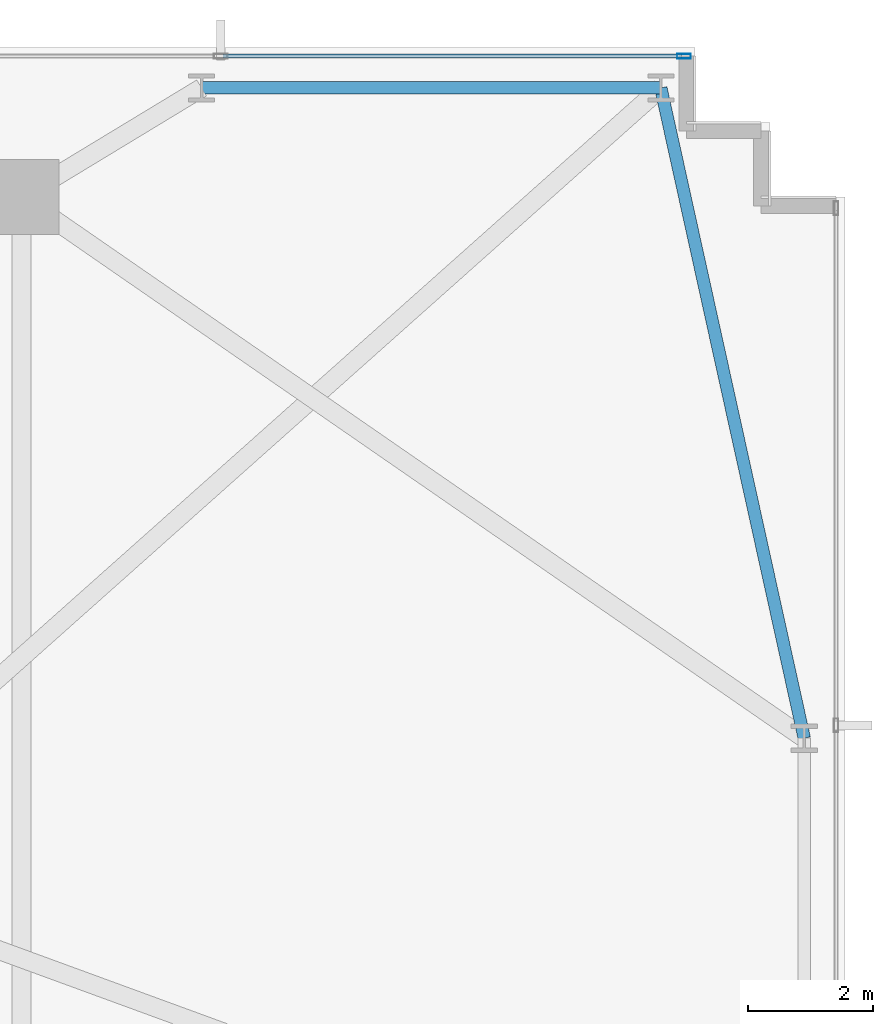
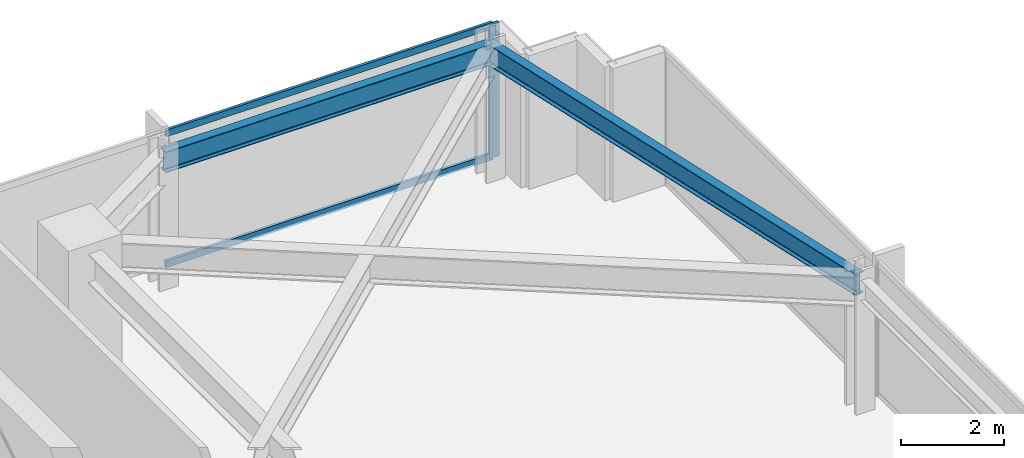
# One storey, part 21 of 33: 3 members, 2 beams, 1 element without a shape of its own.
"""IFC4 building model written with IfcOpenShell, lengths in metres."""

from ifc_helpers import new_model, si_unit, direction, frame, origin, origin_2d, place, context, subcontext, project, spatial, hollow_rectangle, i_section, extrude, material, material_profile, profile_set, type_object, element, aggregate, save


model = new_model("IFC4")

# Units and contexts
model_context = context("Model", 3, precision=1e-05, world=origin(), true_north=direction((0.0, 1.0)))
body_context = subcontext(model_context, "Body", "Model", "MODEL_VIEW")
ifc_project = project(units=[si_unit("LENGTHUNIT", "METRE"), si_unit("AREAUNIT", "SQUARE_METRE"), si_unit("VOLUMEUNIT", "CUBIC_METRE"), si_unit("PLANEANGLEUNIT", "RADIAN"), si_unit("MASSUNIT", "GRAM", prefix="KILO")], contexts=[model_context])

# Site, building, storey
site_placement = place(None, origin())
site = spatial("IfcSite", under=ifc_project, at=site_placement, CompositionType="ELEMENT")
building_placement = place(site_placement, origin())
building = spatial("IfcBuilding", under=site, at=building_placement, Name="Yelkora Congress Tower", CompositionType="ELEMENT")
storey_placement = place(building_placement, frame((0.0, 0.0, 71.199951171875)))
storey = spatial("IfcBuildingStorey", under=building, at=storey_placement, Name="L18", CompositionType="ELEMENT", Elevation=71.199951171875)

# Beams
ifc_material_1 = material(Name="Steel S355J2", Category="steel")
ifc_material_profile_1 = material_profile(ifc_material_1, i_section(OverallWidth=0.199951171875, OverallDepth=0.5, WebThickness=0.01025390625, FlangeThickness=0.01611328125, FilletRadius=0.02099609375, at=origin_2d()), Name="IPE 500")
ifc_profile_set_1 = profile_set([ifc_material_profile_1], Name="Steel S355J2")
beam_type = type_object("IfcBeamType", Name="BM-SPAN-IPE500", PredefinedType="SPANDREL", material=ifc_profile_set_1)
beam_1_placement = place(storey_placement, frame((70.14990234375, 37.52490234375, 2.929931640625), z_axis=(-0.215424087425, 0.97652058993, 0.0), x_axis=(-0.97652058993, -0.215424087425, 0.0)))
element("IfcBeam", 1, at=beam_1_placement, inside=storey, type_object=beam_type, Name="L18 Perimeter Beam 13", PredefinedType="SPANDREL", context=body_context, shape_type="SweptSolid", body=[
    extrude(i_section(OverallWidth=0.199951171875, OverallDepth=0.5, WebThickness=0.01025390625, FlangeThickness=0.01611328125, FilletRadius=0.02099609375, at=origin_2d()), origin(), (0.0, 0.0, 1.0), 10.67578125),
])
beam_2_placement = place(storey_placement, frame((67.85009765625, 47.949951171875, 2.929931640625), z_axis=(-1.0, 0.0, 0.0), x_axis=(0.0, -1.0, 0.0)))
element("IfcBeam", 2, at=beam_2_placement, inside=storey, type_object=beam_type, Name="L18 Perimeter Beam 14", PredefinedType="SPANDREL", context=body_context, shape_type="SweptSolid", body=[
    extrude(i_section(OverallWidth=0.199951171875, OverallDepth=0.5, WebThickness=0.01025390625, FlangeThickness=0.01611328125, FilletRadius=0.02099609375, at=origin_2d()), origin(), (0.0, 0.0, 1.0), 7.362548828125),
])

# Curtain wall, members
ifc_material_2 = material(Name="Anodised aluminium and insulated glass", Category="aluminium")
curtain_wall_type = type_object("IfcCurtainWallType", Name="CW-SYS-B1", PredefinedType="NOTDEFINED", material=ifc_material_2)
curtain_wall_placement = place(storey_placement, origin())
curtain_wall = element("IfcCurtainWall", 3, at=curtain_wall_placement, inside=storey, type_object=curtain_wall_type, Name="L18 Unitised Curtain Wall 10", PredefinedType="NOTDEFINED")
ifc_material_3 = material(Name="Anodised aluminium 6063-T6", Category="aluminium")
ifc_material_profile_2 = material_profile(ifc_material_3, hollow_rectangle(XDim=0.074951171875, YDim=0.219970703125, WallThickness=0.0048828125, at=origin_2d()), Name="ALU 75x220x5")
ifc_profile_set_2 = profile_set([ifc_material_profile_2], Name="Anodised aluminium 6063-T6")
member_type_1 = type_object("IfcMemberType", Name="MEM-ML-B1", PredefinedType="MULLION", material=ifc_profile_set_2)
member_1_placement = place(storey_placement, frame((68.222412109375, 48.4599609375, 0.0), z_axis=(0.0, 0.0, 1.0), x_axis=(0.0, 1.0, 0.0)))
member_1 = element("IfcMember", 4, at=member_1_placement, type_object=member_type_1, Name="CW-B1 mullion 9", PredefinedType="MULLION", context=body_context, shape_type="SweptSolid", body=[
    extrude(hollow_rectangle(XDim=0.074951171875, YDim=0.219970703125, WallThickness=0.0048828125, at=origin_2d()), origin(), (0.0, 0.0, 1.0), 3.179931640625),
])
ifc_material_profile_3 = material_profile(ifc_material_3, hollow_rectangle(XDim=0.06494140625, YDim=0.159912109375, WallThickness=0.00390625, at=origin_2d()), Name="ALU 65x160x4")
ifc_profile_set_3 = profile_set([ifc_material_profile_3], Name="Anodised aluminium 6063-T6")
member_type_2 = type_object("IfcMemberType", Name="MEM-TR-B1", PredefinedType="USERDEFINED", material=ifc_profile_set_3)
member_2_placement = place(storey_placement, frame((60.83251953125, 48.4599609375, 0.032470703125), z_axis=(1.0, 0.0, 0.0), x_axis=(0.0, 1.0, 0.0)))
member_2 = element("IfcMember", 5, at=member_2_placement, type_object=member_type_2, Name="CW-B1 transom 8.1", ObjectType="TRANSOM", PredefinedType="USERDEFINED", context=body_context, shape_type="SweptSolid", body=[
    extrude(hollow_rectangle(XDim=0.06494140625, YDim=0.159912109375, WallThickness=0.00390625, at=origin_2d()), origin(), (0.0, 0.0, 1.0), 7.3525390625),
])
member_3_placement = place(storey_placement, frame((60.83251953125, 48.4599609375, 3.1474609375), z_axis=(1.0, 0.0, 0.0), x_axis=(0.0, 1.0, 0.0)))
member_3 = element("IfcMember", 6, at=member_3_placement, type_object=member_type_2, Name="CW-B1 transom 8.2", ObjectType="TRANSOM", PredefinedType="USERDEFINED", context=body_context, shape_type="SweptSolid", body=[
    extrude(hollow_rectangle(XDim=0.06494140625, YDim=0.159912109375, WallThickness=0.00390625, at=origin_2d()), origin(), (0.0, 0.0, 1.0), 7.3525390625),
])
aggregate(curtain_wall, [member_1, member_2, member_3])

save(model, "model.ifc")
